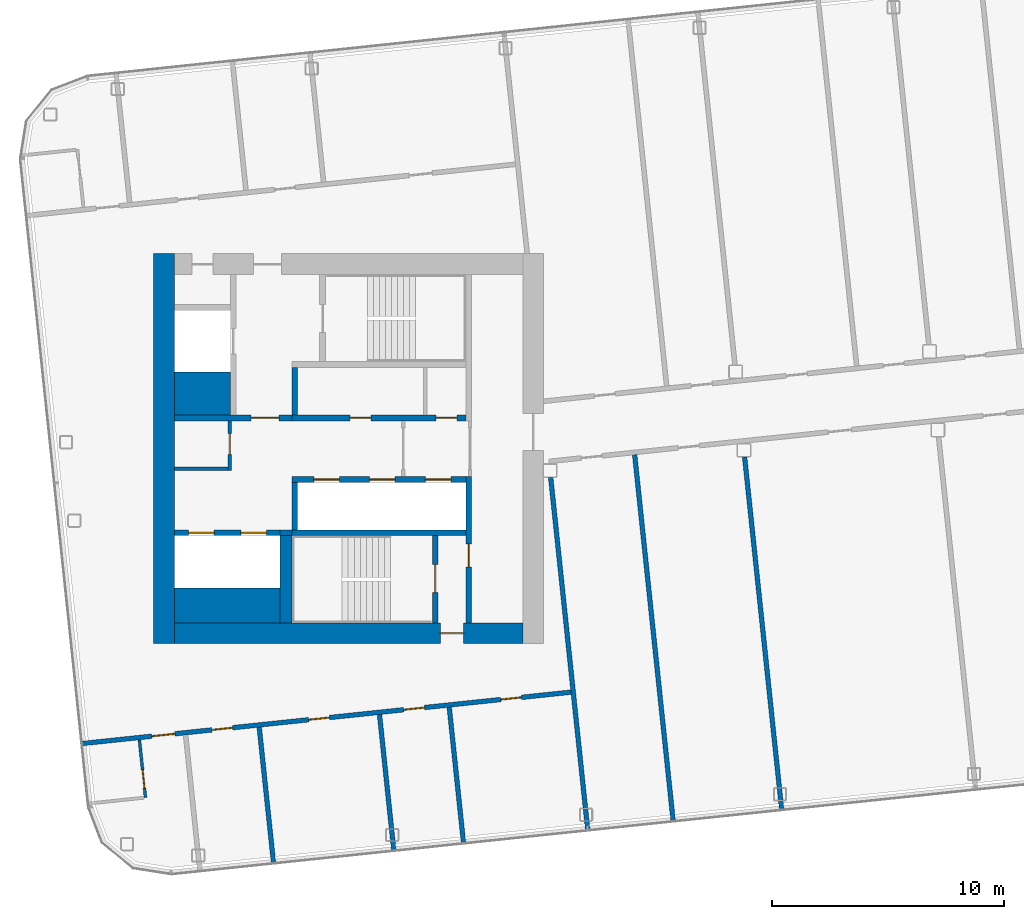
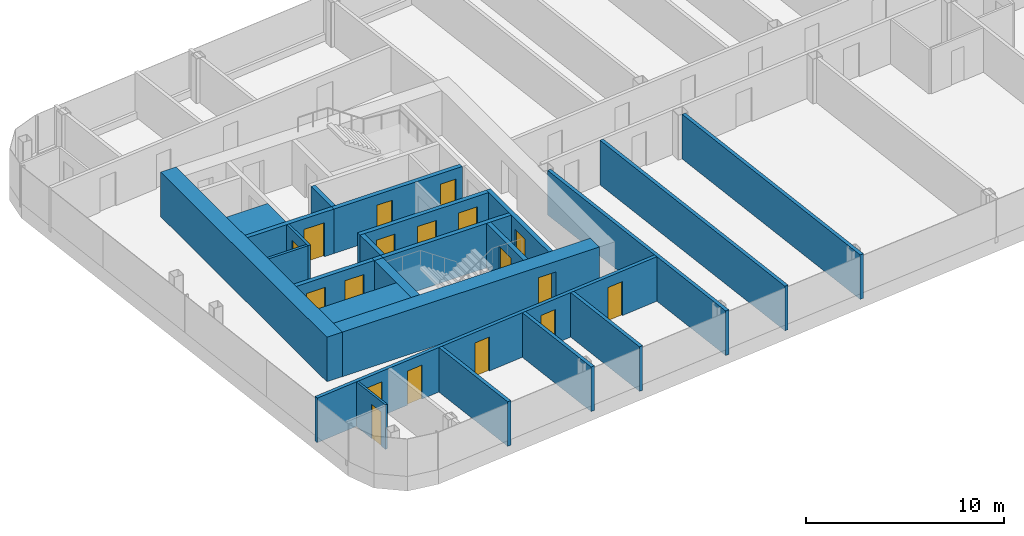
# One storey, part 14 of 27: 25 walls, 18 doors, 18 openings.
"""IFC4 building model written with IfcOpenShell, lengths in metres."""

from ifc_helpers import new_model, si_unit, direction, frame, frame_2d, origin, place, context, subcontext, project, spatial, rectangle, extrude, material, layer, layer_set, type_object, element, fill, save


model = new_model("IFC4")

# Units and contexts
model_context = context("Model", 3, precision=1e-05, world=origin(), true_north=direction((0.0, 1.0)))
body_context = subcontext(model_context, "Body", "Model", "MODEL_VIEW")
ifc_project = project(units=[si_unit("LENGTHUNIT", "METRE"), si_unit("AREAUNIT", "SQUARE_METRE"), si_unit("VOLUMEUNIT", "CUBIC_METRE"), si_unit("PLANEANGLEUNIT", "RADIAN"), si_unit("MASSUNIT", "GRAM", prefix="KILO")], contexts=[model_context])

# Site, building, storey
site_placement = place(None, origin())
site = spatial("IfcSite", under=ifc_project, at=site_placement, CompositionType="ELEMENT")
building_placement = place(site_placement, origin())
building = spatial("IfcBuilding", under=site, at=building_placement, Name="Hakoniwa Tower and Hamabe Station Hall", CompositionType="ELEMENT")
storey_placement = place(building_placement, frame((0.0, 0.0, 239.0)))
storey = spatial("IfcBuildingStorey", under=building, at=storey_placement, Name="L67", CompositionType="ELEMENT", Elevation=239.0)

# Wall, opening, door
ifc_material_1 = material(Name="Gypsum board partition", Category="gypsum")
ifc_layer_1 = layer(ifc_material_1, 0.125)
ifc_layer_set_1 = layer_set([ifc_layer_1], Name="Bathroom Partition 125")
wall_type_1 = type_object("IfcWallType", Name="Bathroom Partition 125", PredefinedType="PARTITIONING", material=ifc_layer_set_1)
wall_1_placement = place(storey_placement, frame((-33.95361328125, -15.029296875, 0.0), z_axis=(0.0, 0.0, 1.0), x_axis=(-0.104588199498, 0.994515615024, 0.0)))
wall_1 = element("IfcWall", 1, at=wall_1_placement, inside=storey, type_object=wall_type_1, Name="GW-L67-012", PredefinedType="PARTITIONING", context=body_context, shape_type="SweptSolid", body=[
    extrude(rectangle(XDim=2.5, YDim=0.125, at=frame_2d((1.25, 0.0))), origin(), (0.0, 0.0, 1.0), 2.75),
])
opening_1_placement = place(wall_1_placement, frame((0.39990234375, 0.0, 0.0)))
opening_1 = element("IfcOpeningElement", 2, at=opening_1_placement, cuts=wall_1, Name="Opening GD-G5A0-29", PredefinedType="OPENING", context=body_context, shape_type="SweptSolid", body=[
    extrude(rectangle(XDim=0.800048828125, YDim=2.10009765625, at=frame_2d((0.39990234375, 1.050048828125))), frame((0.0, 0.072509765625, 0.0), z_axis=(0.0, -1.0, 0.0), x_axis=(1.0, 0.0, 0.0)), (0.0, 0.0, 1.0), 0.14501953125),
])
ifc_material_2 = material(Name="Timber door leaf", Category="wood")
door_type_1 = type_object("IfcDoorType", Name="Bathroom Door 800", OperationType="SINGLE_SWING_LEFT", PredefinedType="DOOR", material=ifc_material_2)
door_1_placement = place(opening_1_placement, origin())
door_1 = element("IfcDoor", 3, at=door_1_placement, inside=storey, type_object=door_type_1, Name="Door GD-G5A0-29", OperationType="SINGLE_SWING_RIGHT", OverallHeight=2.10009765625, OverallWidth=0.800048828125, PredefinedType="DOOR", context=body_context, shape_type="SweptSolid", body=[
    extrude(rectangle(XDim=0.800048828125, YDim=2.10009765625, at=frame_2d((0.39990234375, 1.050048828125))), frame((0.0, 0.02490234375, 0.0), z_axis=(0.0, -1.0, 0.0), x_axis=(1.0, 0.0, 0.0)), (0.0, 0.0, 1.0), 0.050048828125),
])
fill(opening_1, door_1)

ifc_material_3 = material(Name="Gypsum board partition")
ifc_layer_2 = layer(ifc_material_3, 0.14990234375)
ifc_layer_set_2 = layer_set([ifc_layer_2], Name="CORE PARTITION 150 EI 60")
wall_type_2 = type_object("IfcWallType", Name="CORE PARTITION 150 EI 60", PredefinedType="PARTITIONING", material=ifc_layer_set_2)
wall_2_placement = place(storey_placement, frame((-30.324951171875, -0.949951171875, 0.0), z_axis=(0.0, 0.0, 1.0), x_axis=(0.0, 1.0, 0.0)))
wall_2 = element("IfcWall", 4, at=wall_2_placement, inside=storey, type_object=wall_type_2, Name="Core partition PW0 west", PredefinedType="PARTITIONING", context=body_context, shape_type="SweptSolid", body=[
    extrude(rectangle(XDim=2.14990234375, YDim=0.14990234375, at=frame_2d((1.074951171875, 0.0))), origin(), (0.0, 0.0, 1.0), 2.75),
])
opening_2_placement = place(wall_2_placement, frame((0.699951171875, 0.0, 0.0)))
opening_2 = element("IfcOpeningElement", 5, at=opening_2_placement, cuts=wall_2, Name="Opening CD-W-RM1-9", PredefinedType="OPENING", context=body_context, shape_type="SweptSolid", body=[
    extrude(rectangle(XDim=0.89990234375, YDim=2.10009765625, at=frame_2d((0.449951171875, 1.050048828125))), frame((0.0, 0.0849609375, 0.0), z_axis=(0.0, -1.0, 0.0), x_axis=(1.0, 0.0, 0.0)), (0.0, 0.0, 1.0), 0.169921875),
])
ifc_material_4 = material(Name="Steel fire door", Category="steel")
door_type_2 = type_object("IfcDoorType", Name="CORE DOOR 900 FD30", OperationType="NOTDEFINED", PredefinedType="DOOR", material=ifc_material_4)
door_2_placement = place(opening_2_placement, origin())
door_2 = element("IfcDoor", 6, at=door_2_placement, inside=storey, type_object=door_type_2, Name="Store room door", OperationType="SINGLE_SWING_LEFT", OverallHeight=2.10009765625, OverallWidth=0.89990234375, PredefinedType="DOOR", context=body_context, shape_type="SweptSolid", body=[
    extrude(rectangle(XDim=0.89990234375, YDim=2.10009765625, at=frame_2d((0.449951171875, 1.050048828125))), frame((0.0, 0.02490234375, 0.0), z_axis=(0.0, -1.0, 0.0), x_axis=(1.0, 0.0, 0.0)), (0.0, 0.0, 1.0), 0.050048828125),
])
fill(opening_2, door_2)

# Walls
wall_3_placement = place(storey_placement, frame((-32.699951171875, -0.875, 0.0), z_axis=(0.0, 0.0, 1.0), x_axis=(1.0, 0.0, 0.0)))
element("IfcWall", 7, at=wall_3_placement, inside=storey, type_object=wall_type_2, Name="Core partition PS west", PredefinedType="PARTITIONING", context=body_context, shape_type="SweptSolid", body=[
    extrude(rectangle(XDim=2.300048828125, YDim=0.14990234375, at=frame_2d((1.14990234375, 0.0))), origin(), (0.0, 0.0, 1.0), 2.75),
])
ifc_material_5 = material(Name="Concrete C60", Category="concrete")
ifc_layer_3 = layer(ifc_material_5, 0.89990234375)
ifc_layer_set_3 = layer_set([ifc_layer_3], Name="CORE WALL 900 C60")
wall_type_3 = type_object("IfcWallType", Name="CORE WALL 900 C60", PredefinedType="SHEAR", material=ifc_layer_set_3)
wall_4_placement = place(storey_placement, frame((-33.14990234375, -8.39990234375, 0.0), z_axis=(0.0, 0.0, 1.0), x_axis=(0.0, 1.0, 0.0)))
element("IfcWall", 8, at=wall_4_placement, inside=storey, type_object=wall_type_3, Name="Core wall OUTER west", PredefinedType="SHEAR", context=body_context, shape_type="SweptSolid", body=[
    extrude(rectangle(XDim=16.7998046875, YDim=0.89990234375, at=frame_2d((8.39990234375, 0.0))), origin(), (0.0, 0.0, 1.0), 2.75),
])

# Wall, opening, door
wall_5_placement = place(storey_placement, frame((-32.699951171875, -7.949951171875, 0.0), z_axis=(0.0, 0.0, 1.0), x_axis=(1.0, 0.0, 0.0)))
wall_5 = element("IfcWall", 9, at=wall_5_placement, inside=storey, type_object=wall_type_3, Name="Core wall SOUTH west", PredefinedType="SHEAR", context=body_context, shape_type="SweptSolid", body=[
    extrude(rectangle(XDim=15.0, YDim=0.89990234375, at=frame_2d((7.5, 0.0))), origin(), (0.0, 0.0, 1.0), 2.75),
])
opening_3_placement = place(wall_5_placement, frame((11.449951171875, 0.0, 0.0)))
opening_3 = element("IfcOpeningElement", 10, at=opening_3_placement, cuts=wall_5, Name="Opening CD-W-FS3-10", PredefinedType="OPENING", context=body_context, shape_type="SweptSolid", body=[
    extrude(rectangle(XDim=1.0, YDim=2.10009765625, at=frame_2d((0.5, 1.050048828125))), frame((0.0, 0.4599609375, 0.0), z_axis=(0.0, -1.0, 0.0), x_axis=(1.0, 0.0, 0.0)), (0.0, 0.0, 1.0), 0.919921875),
])
ifc_material_6 = material(Name="Steel fire door", Category="steel")
door_type_3 = type_object("IfcDoorType", Name="CORE DOOR 1000 FD60", OperationType="NOTDEFINED", PredefinedType="DOOR", material=ifc_material_6)
door_3_placement = place(opening_3_placement, origin())
door_3 = element("IfcDoor", 11, at=door_3_placement, inside=storey, type_object=door_type_3, Name="Stair vestibule door", OperationType="SINGLE_SWING_RIGHT", OverallHeight=2.10009765625, OverallWidth=1.0, PredefinedType="DOOR", context=body_context, shape_type="SweptSolid", body=[
    extrude(rectangle(XDim=1.0, YDim=2.10009765625, at=frame_2d((0.5, 1.050048828125))), frame((0.0, 0.02490234375, 0.0), z_axis=(0.0, -1.0, 0.0), x_axis=(1.0, 0.0, 0.0)), (0.0, 0.0, 1.0), 0.050048828125),
])
fill(opening_3, door_3)

# Walls
ifc_material_7 = material(Name="Concrete C60", Category="concrete")
ifc_layer_4 = layer(ifc_material_7, 1.5)
ifc_layer_set_4 = layer_set([ifc_layer_4], Name="CORE WEB WALL 1500 C60")
wall_type_4 = type_object("IfcWallType", Name="CORE WEB WALL 1500 C60", PredefinedType="SHEAR", material=ifc_layer_set_4)
wall_6_placement = place(storey_placement, frame((-32.699951171875, -6.75, 0.0), z_axis=(0.0, 0.0, 1.0), x_axis=(1.0, 0.0, 0.0)))
element("IfcWall", 12, at=wall_6_placement, inside=storey, type_object=wall_type_4, Name="Core wall SER west", PredefinedType="SHEAR", context=body_context, shape_type="SweptSolid", body=[
    extrude(rectangle(XDim=4.550048828125, YDim=1.5, at=frame_2d((2.27490234375, 0.0))), origin(), (0.0, 0.0, 1.0), 2.75),
])
ifc_material_8 = material(Name="Concrete C60", Category="concrete")
ifc_layer_5 = layer(ifc_material_8, 1.85009765625)
ifc_layer_set_5 = layer_set([ifc_layer_5], Name="CORE WEB WALL 1850 C60")
wall_type_5 = type_object("IfcWallType", Name="CORE WEB WALL 1850 C60", PredefinedType="SHEAR", material=ifc_layer_set_5)
wall_7_placement = place(storey_placement, frame((-32.699951171875, 2.375, 0.0), z_axis=(0.0, 0.0, 1.0), x_axis=(1.0, 0.0, 0.0)))
element("IfcWall", 13, at=wall_7_placement, inside=storey, type_object=wall_type_5, Name="Core wall CA west", PredefinedType="SHEAR", context=body_context, shape_type="SweptSolid", body=[
    extrude(rectangle(XDim=2.39990234375, YDim=1.85009765625, at=frame_2d((1.199951171875, 0.0))), origin(), (0.0, 0.0, 1.0), 2.75),
])

# Wall, opening, door
ifc_material_9 = material(Name="Concrete C60", Category="concrete")
ifc_layer_6 = layer(ifc_material_9, 0.25)
ifc_layer_set_6 = layer_set([ifc_layer_6], Name="CORE WEB WALL 250 C60")
wall_type_6 = type_object("IfcWallType", Name="CORE WEB WALL 250 C60", PredefinedType="SHEAR", material=ifc_layer_set_6)
wall_8_placement = place(storey_placement, frame((-20.02490234375, -7.5, 0.0), z_axis=(0.0, 0.0, 1.0), x_axis=(0.0, 1.0, 0.0)))
wall_8 = element("IfcWall", 14, at=wall_8_placement, inside=storey, type_object=wall_type_6, Name="Core wall W1S west", PredefinedType="SHEAR", context=body_context, shape_type="SweptSolid", body=[
    extrude(rectangle(XDim=6.300048828125, YDim=0.25, at=frame_2d((3.14990234375, 0.0))), origin(), (0.0, 0.0, 1.0), 2.75),
])
opening_4_placement = place(wall_8_placement, frame((2.39990234375, 0.0, 0.0)))
opening_4 = element("IfcOpeningElement", 15, at=opening_4_placement, cuts=wall_8, Name="Opening CD-W-VS-10", PredefinedType="OPENING", context=body_context, shape_type="SweptSolid", body=[
    extrude(rectangle(XDim=1.0, YDim=2.10009765625, at=frame_2d((0.5, 1.050048828125))), frame((0.0, 0.135009765625, 0.0), z_axis=(0.0, -1.0, 0.0), x_axis=(1.0, 0.0, 0.0)), (0.0, 0.0, 1.0), 0.27001953125),
])
door_4_placement = place(opening_4_placement, origin())
door_4 = element("IfcDoor", 16, at=door_4_placement, inside=storey, type_object=door_type_3, Name="Stair vestibule door", OperationType="SINGLE_SWING_LEFT", OverallHeight=2.10009765625, OverallWidth=1.0, PredefinedType="DOOR", context=body_context, shape_type="SweptSolid", body=[
    extrude(rectangle(XDim=1.0, YDim=2.10009765625, at=frame_2d((0.5, 1.050048828125))), frame((0.0, 0.02490234375, 0.0), z_axis=(0.0, -1.0, 0.0), x_axis=(1.0, 0.0, 0.0)), (0.0, 0.0, 1.0), 0.050048828125),
])
fill(opening_4, door_4)

# Wall, openings, doors
wall_9_placement = place(storey_placement, frame((-27.64990234375, 1.324951171875, 0.0), z_axis=(0.0, 0.0, 1.0), x_axis=(1.0, 0.0, 0.0)))
wall_9 = element("IfcWall", 17, at=wall_9_placement, inside=storey, type_object=wall_type_6, Name="Core wall NF west", PredefinedType="SHEAR", context=body_context, shape_type="SweptSolid", body=[
    extrude(rectangle(XDim=7.5, YDim=0.25, at=frame_2d((3.75, 0.0))), origin(), (0.0, 0.0, 1.0), 2.75),
])
opening_5_placement = place(wall_9_placement, frame((6.21240234375, 0.0, 0.0)))
opening_5 = element("IfcOpeningElement", 18, at=opening_5_placement, cuts=wall_9, Name="Opening CD-W-FRLR0-9", PredefinedType="OPENING", context=body_context, shape_type="SweptSolid", body=[
    extrude(rectangle(XDim=0.89990234375, YDim=2.10009765625, at=frame_2d((0.449951171875, 1.050048828125))), frame((0.0, 0.135009765625, 0.0), z_axis=(0.0, -1.0, 0.0), x_axis=(1.0, 0.0, 0.0)), (0.0, 0.0, 1.0), 0.27001953125),
])
opening_6_placement = place(wall_9_placement, frame((2.512451171875, 0.0, 0.0)))
opening_6 = element("IfcOpeningElement", 19, at=opening_6_placement, cuts=wall_9, Name="Opening CD-W-FRLR1-9", PredefinedType="OPENING", context=body_context, shape_type="SweptSolid", body=[
    extrude(rectangle(XDim=0.89990234375, YDim=2.10009765625, at=frame_2d((0.449951171875, 1.050048828125))), frame((0.0, 0.135009765625, 0.0), z_axis=(0.0, -1.0, 0.0), x_axis=(1.0, 0.0, 0.0)), (0.0, 0.0, 1.0), 0.27001953125),
])
door_5_placement = place(opening_5_placement, origin())
door_5 = element("IfcDoor", 20, at=door_5_placement, inside=storey, type_object=door_type_2, Name="Store room door", OperationType="SINGLE_SWING_RIGHT", OverallHeight=2.10009765625, OverallWidth=0.89990234375, PredefinedType="DOOR", context=body_context, shape_type="SweptSolid", body=[
    extrude(rectangle(XDim=0.89990234375, YDim=2.10009765625, at=frame_2d((0.449951171875, 1.050048828125))), frame((0.0, 0.02490234375, 0.0), z_axis=(0.0, -1.0, 0.0), x_axis=(1.0, 0.0, 0.0)), (0.0, 0.0, 1.0), 0.050048828125),
])
fill(opening_5, door_5)
door_6_placement = place(opening_6_placement, origin())
door_6 = element("IfcDoor", 21, at=door_6_placement, inside=storey, type_object=door_type_2, Name="Store room door", OperationType="SINGLE_SWING_LEFT", OverallHeight=2.10009765625, OverallWidth=0.89990234375, PredefinedType="DOOR", context=body_context, shape_type="SweptSolid", body=[
    extrude(rectangle(XDim=0.89990234375, YDim=2.10009765625, at=frame_2d((0.449951171875, 1.050048828125))), frame((0.0, 0.02490234375, 0.0), z_axis=(0.0, -1.0, 0.0), x_axis=(1.0, 0.0, 0.0)), (0.0, 0.0, 1.0), 0.050048828125),
])
fill(opening_6, door_6)

# Wall
wall_10_placement = place(storey_placement, frame((-27.52490234375, 1.449951171875, 0.0), z_axis=(0.0, 0.0, 1.0), x_axis=(0.0, 1.0, 0.0)))
element("IfcWall", 22, at=wall_10_placement, inside=storey, type_object=wall_type_6, Name="Core wall NE west", PredefinedType="SHEAR", context=body_context, shape_type="SweptSolid", body=[
    extrude(rectangle(XDim=2.050048828125, YDim=0.25, at=frame_2d((1.02490234375, 0.0))), origin(), (0.0, 0.0, 1.0), 2.75),
])

# Wall, opening, door
wall_11_placement = place(storey_placement, frame((-32.699951171875, 1.324951171875, 0.0), z_axis=(0.0, 0.0, 1.0), x_axis=(1.0, 0.0, 0.0)))
wall_11 = element("IfcWall", 23, at=wall_11_placement, inside=storey, type_object=wall_type_6, Name="Core wall ELN west", PredefinedType="SHEAR", context=body_context, shape_type="SweptSolid", body=[
    extrude(rectangle(XDim=5.050048828125, YDim=0.25, at=frame_2d((2.52490234375, 0.0))), origin(), (0.0, 0.0, 1.0), 2.75),
])
opening_7_placement = place(wall_11_placement, frame((3.300048828125, 0.0, 0.0)))
opening_7 = element("IfcOpeningElement", 24, at=opening_7_placement, cuts=wall_11, Name="Opening CD-W-FL-12", PredefinedType="OPENING", context=body_context, shape_type="SweptSolid", body=[
    extrude(rectangle(XDim=1.199951171875, YDim=2.10009765625, at=frame_2d((0.60009765625, 1.050048828125))), frame((0.0, 0.135009765625, 0.0), z_axis=(0.0, -1.0, 0.0), x_axis=(1.0, 0.0, 0.0)), (0.0, 0.0, 1.0), 0.27001953125),
])
ifc_material_10 = material(Name="Steel fire door", Category="steel")
door_type_4 = type_object("IfcDoorType", Name="CORE DOOR 1200 FD60", OperationType="DOUBLE_DOOR_SINGLE_SWING", PredefinedType="DOOR", material=ifc_material_10)
door_7_placement = place(opening_7_placement, origin())
door_7 = element("IfcDoor", 25, at=door_7_placement, inside=storey, type_object=door_type_4, Name="Stair vestibule door to the fire-fighting lobby", OperationType="DOUBLE_DOOR_SINGLE_SWING", OverallHeight=2.10009765625, OverallWidth=1.199951171875, PredefinedType="DOOR", context=body_context, shape_type="SweptSolid", body=[
    extrude(rectangle(XDim=1.199951171875, YDim=2.10009765625, at=frame_2d((0.60009765625, 1.050048828125))), frame((0.0, 0.02490234375, 0.0), z_axis=(0.0, -1.0, 0.0), x_axis=(1.0, 0.0, 0.0)), (0.0, 0.0, 1.0), 0.050048828125),
])
fill(opening_7, door_7)

# Wall, openings, doors
wall_12_placement = place(storey_placement, frame((-27.64990234375, -1.324951171875, 0.0), z_axis=(0.0, 0.0, 1.0), x_axis=(1.0, 0.0, 0.0)))
wall_12 = element("IfcWall", 26, at=wall_12_placement, inside=storey, type_object=wall_type_6, Name="Core wall SF west", PredefinedType="SHEAR", context=body_context, shape_type="SweptSolid", body=[
    extrude(rectangle(XDim=7.5, YDim=0.25, at=frame_2d((3.75, 0.0))), origin(), (0.0, 0.0, 1.0), 2.75),
])
opening_8_placement = place(wall_12_placement, frame((5.75, 0.0, 0.0)))
opening_8 = element("IfcOpeningElement", 27, at=opening_8_placement, cuts=wall_12, Name="Opening LD-HR1", PredefinedType="OPENING", context=body_context, shape_type="SweptSolid", body=[
    extrude(rectangle(XDim=1.10009765625, YDim=2.10009765625, at=frame_2d((0.550048828125, 1.050048828125))), frame((0.0, 0.135009765625, 0.0), z_axis=(0.0, -1.0, 0.0), x_axis=(1.0, 0.0, 0.0)), (0.0, 0.0, 1.0), 0.27001953125),
])
opening_9_placement = place(wall_12_placement, frame((3.35009765625, 0.0, 0.0)))
opening_9 = element("IfcOpeningElement", 28, at=opening_9_placement, cuts=wall_12, Name="Opening LD-HR2", PredefinedType="OPENING", context=body_context, shape_type="SweptSolid", body=[
    extrude(rectangle(XDim=1.10009765625, YDim=2.10009765625, at=frame_2d((0.550048828125, 1.050048828125))), frame((0.0, 0.135009765625, 0.0), z_axis=(0.0, -1.0, 0.0), x_axis=(1.0, 0.0, 0.0)), (0.0, 0.0, 1.0), 0.27001953125),
])
opening_10_placement = place(wall_12_placement, frame((0.949951171875, 0.0, 0.0)))
opening_10 = element("IfcOpeningElement", 29, at=opening_10_placement, cuts=wall_12, Name="Opening LD-HR3", PredefinedType="OPENING", context=body_context, shape_type="SweptSolid", body=[
    extrude(rectangle(XDim=1.10009765625, YDim=2.10009765625, at=frame_2d((0.550048828125, 1.050048828125))), frame((0.0, 0.135009765625, 0.0), z_axis=(0.0, -1.0, 0.0), x_axis=(1.0, 0.0, 0.0)), (0.0, 0.0, 1.0), 0.27001953125),
])
ifc_material_11 = material(Name="Stainless steel SUS304", Category="steel")
door_type_5 = type_object("IfcDoorType", Name="LIFT LANDING DOOR 1100 FD60", OperationType="DOUBLE_DOOR_SLIDING", PredefinedType="DOOR", material=ifc_material_11)
door_8_placement = place(opening_8_placement, origin())
door_8 = element("IfcDoor", 30, at=door_8_placement, inside=storey, type_object=door_type_5, Name="Lift landing door HR1 L67", OperationType="DOUBLE_DOOR_SLIDING", OverallHeight=2.10009765625, OverallWidth=1.10009765625, PredefinedType="DOOR", context=body_context, shape_type="SweptSolid", body=[
    extrude(rectangle(XDim=1.10009765625, YDim=2.10009765625, at=frame_2d((0.550048828125, 1.050048828125))), frame((0.0, 0.02490234375, 0.0), z_axis=(0.0, -1.0, 0.0), x_axis=(1.0, 0.0, 0.0)), (0.0, 0.0, 1.0), 0.050048828125),
])
fill(opening_8, door_8)
door_9_placement = place(opening_9_placement, origin())
door_9 = element("IfcDoor", 31, at=door_9_placement, inside=storey, type_object=door_type_5, Name="Lift landing door HR2 L67", OperationType="DOUBLE_DOOR_SLIDING", OverallHeight=2.10009765625, OverallWidth=1.10009765625, PredefinedType="DOOR", context=body_context, shape_type="SweptSolid", body=[
    extrude(rectangle(XDim=1.10009765625, YDim=2.10009765625, at=frame_2d((0.550048828125, 1.050048828125))), frame((0.0, 0.02490234375, 0.0), z_axis=(0.0, -1.0, 0.0), x_axis=(1.0, 0.0, 0.0)), (0.0, 0.0, 1.0), 0.050048828125),
])
fill(opening_9, door_9)
door_10_placement = place(opening_10_placement, origin())
door_10 = element("IfcDoor", 32, at=door_10_placement, inside=storey, type_object=door_type_5, Name="Lift landing door HR3 L67", OperationType="DOUBLE_DOOR_SLIDING", OverallHeight=2.10009765625, OverallWidth=1.10009765625, PredefinedType="DOOR", context=body_context, shape_type="SweptSolid", body=[
    extrude(rectangle(XDim=1.10009765625, YDim=2.10009765625, at=frame_2d((0.550048828125, 1.050048828125))), frame((0.0, 0.02490234375, 0.0), z_axis=(0.0, -1.0, 0.0), x_axis=(1.0, 0.0, 0.0)), (0.0, 0.0, 1.0), 0.050048828125),
])
fill(opening_10, door_10)

# Walls
wall_13_placement = place(storey_placement, frame((-27.52490234375, -3.5, 0.0), z_axis=(0.0, 0.0, 1.0), x_axis=(0.0, 1.0, 0.0)))
element("IfcWall", 33, at=wall_13_placement, inside=storey, type_object=wall_type_6, Name="Core wall SE west", PredefinedType="SHEAR", context=body_context, shape_type="SweptSolid", body=[
    extrude(rectangle(XDim=2.050048828125, YDim=0.25, at=frame_2d((1.02490234375, 0.0))), origin(), (0.0, 0.0, 1.0), 2.75),
])
wall_14_placement = place(storey_placement, frame((-27.64990234375, -3.625, 0.0), z_axis=(0.0, 0.0, 1.0), x_axis=(1.0, 0.0, 0.0)))
element("IfcWall", 34, at=wall_14_placement, inside=storey, type_object=wall_type_6, Name="Core wall SR west", PredefinedType="SHEAR", context=body_context, shape_type="SweptSolid", body=[
    extrude(rectangle(XDim=7.5, YDim=0.25, at=frame_2d((3.75, 0.0))), origin(), (0.0, 0.0, 1.0), 2.75),
])

# Wall, opening, door
wall_15_placement = place(storey_placement, frame((-21.47509765625, -7.5, 0.0), z_axis=(0.0, 0.0, 1.0), x_axis=(0.0, 1.0, 0.0)))
wall_15 = element("IfcWall", 35, at=wall_15_placement, inside=storey, type_object=wall_type_6, Name="Core wall VE west", PredefinedType="SHEAR", context=body_context, shape_type="SweptSolid", body=[
    extrude(rectangle(XDim=3.75, YDim=0.25, at=frame_2d((1.875, 0.0))), origin(), (0.0, 0.0, 1.0), 2.75),
])
opening_11_placement = place(wall_15_placement, frame((1.300048828125, 0.0, 0.0)))
opening_11 = element("IfcOpeningElement", 36, at=opening_11_placement, cuts=wall_15, Name="Opening CD-W-SS-12", PredefinedType="OPENING", context=body_context, shape_type="SweptSolid", body=[
    extrude(rectangle(XDim=1.199951171875, YDim=2.10009765625, at=frame_2d((0.60009765625, 1.050048828125))), frame((0.0, 0.135009765625, 0.0), z_axis=(0.0, -1.0, 0.0), x_axis=(1.0, 0.0, 0.0)), (0.0, 0.0, 1.0), 0.27001953125),
])
door_11_placement = place(opening_11_placement, origin())
door_11 = element("IfcDoor", 37, at=door_11_placement, inside=storey, type_object=door_type_4, Name="Escape stair door", OperationType="DOUBLE_DOOR_SINGLE_SWING", OverallHeight=2.10009765625, OverallWidth=1.199951171875, PredefinedType="DOOR", context=body_context, shape_type="SweptSolid", body=[
    extrude(rectangle(XDim=1.199951171875, YDim=2.10009765625, at=frame_2d((0.60009765625, 1.050048828125))), frame((0.0, 0.02490234375, 0.0), z_axis=(0.0, -1.0, 0.0), x_axis=(1.0, 0.0, 0.0)), (0.0, 0.0, 1.0), 0.050048828125),
])
fill(opening_11, door_11)

# Wall, openings, doors
wall_16_placement = place(storey_placement, frame((-32.699951171875, -3.625, 0.0), z_axis=(0.0, 0.0, 1.0), x_axis=(1.0, 0.0, 0.0)))
wall_16 = element("IfcWall", 38, at=wall_16_placement, inside=storey, type_object=wall_type_6, Name="Core wall SEF west", PredefinedType="SHEAR", context=body_context, shape_type="SweptSolid", body=[
    extrude(rectangle(XDim=4.550048828125, YDim=0.25, at=frame_2d((2.27490234375, 0.0))), origin(), (0.0, 0.0, 1.0), 2.75),
])
opening_12_placement = place(wall_16_placement, frame((2.85009765625, 0.0, 0.0)))
opening_12 = element("IfcOpeningElement", 39, at=opening_12_placement, cuts=wall_16, Name="Opening LD-SV1", PredefinedType="OPENING", context=body_context, shape_type="SweptSolid", body=[
    extrude(rectangle(XDim=1.10009765625, YDim=2.10009765625, at=frame_2d((0.550048828125, 1.050048828125))), frame((0.0, 0.135009765625, 0.0), z_axis=(0.0, -1.0, 0.0), x_axis=(1.0, 0.0, 0.0)), (0.0, 0.0, 1.0), 0.27001953125),
])
opening_13_placement = place(wall_16_placement, frame((0.60009765625, 0.0, 0.0)))
opening_13 = element("IfcOpeningElement", 40, at=opening_13_placement, cuts=wall_16, Name="Opening LD-SV2", PredefinedType="OPENING", context=body_context, shape_type="SweptSolid", body=[
    extrude(rectangle(XDim=1.10009765625, YDim=2.10009765625, at=frame_2d((0.550048828125, 1.050048828125))), frame((0.0, 0.135009765625, 0.0), z_axis=(0.0, -1.0, 0.0), x_axis=(1.0, 0.0, 0.0)), (0.0, 0.0, 1.0), 0.27001953125),
])
door_12_placement = place(opening_12_placement, origin())
door_12 = element("IfcDoor", 41, at=door_12_placement, inside=storey, type_object=door_type_5, Name="Lift landing door SV1 L67", OperationType="DOUBLE_DOOR_SLIDING", OverallHeight=2.10009765625, OverallWidth=1.10009765625, PredefinedType="DOOR", context=body_context, shape_type="SweptSolid", body=[
    extrude(rectangle(XDim=1.10009765625, YDim=2.10009765625, at=frame_2d((0.550048828125, 1.050048828125))), frame((0.0, 0.02490234375, 0.0), z_axis=(0.0, -1.0, 0.0), x_axis=(1.0, 0.0, 0.0)), (0.0, 0.0, 1.0), 0.050048828125),
])
fill(opening_12, door_12)
door_13_placement = place(opening_13_placement, origin())
door_13 = element("IfcDoor", 42, at=door_13_placement, inside=storey, type_object=door_type_5, Name="Lift landing door SV2 L67", OperationType="DOUBLE_DOOR_SLIDING", OverallHeight=2.10009765625, OverallWidth=1.10009765625, PredefinedType="DOOR", context=body_context, shape_type="SweptSolid", body=[
    extrude(rectangle(XDim=1.10009765625, YDim=2.10009765625, at=frame_2d((0.550048828125, 1.050048828125))), frame((0.0, 0.02490234375, 0.0), z_axis=(0.0, -1.0, 0.0), x_axis=(1.0, 0.0, 0.0)), (0.0, 0.0, 1.0), 0.050048828125),
])
fill(opening_13, door_13)

# Walls
wall_17_placement = place(storey_placement, frame((-28.14990234375, -3.625, 0.0), z_axis=(0.0, 0.0, 1.0), x_axis=(1.0, 0.0, 0.0)))
element("IfcWall", 43, at=wall_17_placement, inside=storey, type_object=wall_type_6, Name="Core wall SRK west", PredefinedType="SHEAR", context=body_context, shape_type="SweptSolid", body=[
    extrude(rectangle(XDim=0.5, YDim=0.25, at=frame_2d((0.25, 0.0))), origin(), (0.0, 0.0, 1.0), 2.75),
])
ifc_material_12 = material(Name="Concrete C60", Category="concrete")
ifc_layer_7 = layer(ifc_material_12, 0.5)
ifc_layer_set_7 = layer_set([ifc_layer_7], Name="CORE WEB WALL 500 C60")
wall_type_7 = type_object("IfcWallType", Name="CORE WEB WALL 500 C60", PredefinedType="SHEAR", material=ifc_layer_set_7)
wall_18_placement = place(storey_placement, frame((-27.89990234375, -7.5, 0.0), z_axis=(0.0, 0.0, 1.0), x_axis=(0.0, 1.0, 0.0)))
element("IfcWall", 44, at=wall_18_placement, inside=storey, type_object=wall_type_7, Name="Core wall SSE west", PredefinedType="SHEAR", context=body_context, shape_type="SweptSolid", body=[
    extrude(rectangle(XDim=3.75, YDim=0.5, at=frame_2d((1.875, 0.0))), origin(), (0.0, 0.0, 1.0), 2.75),
])

# Wall, openings, doors
ifc_material_13 = material(Name="Fire-rated gypsum board partition", Category="gypsum")
ifc_layer_8 = layer(ifc_material_13, 0.199951171875)
ifc_layer_set_8 = layer_set([ifc_layer_8], Name="Corridor Wall 200")
wall_type_8 = type_object("IfcWallType", Name="Corridor Wall 200", PredefinedType="PARTITIONING", material=ifc_layer_set_8)
wall_19_placement = place(storey_placement, frame((-36.711669921875, -12.704833984375, 0.0), z_axis=(0.0, 0.0, 1.0), x_axis=(0.994522460242, 0.104523088709, 0.0)))
wall_19 = element("IfcWall", 45, at=wall_19_placement, inside=storey, type_object=wall_type_8, Name="GW-L67-003", PredefinedType="PARTITIONING", context=body_context, shape_type="SweptSolid", body=[
    extrude(rectangle(XDim=21.2998046875, YDim=0.199951171875, at=frame_2d((10.64990234375, 0.0))), origin(), (0.0, 0.0, 1.0), 2.75),
])
opening_14_placement = place(wall_19_placement, frame((3.050048828125, 0.0, 0.0)))
opening_14 = element("IfcOpeningElement", 46, at=opening_14_placement, cuts=wall_19, Name="Opening GD-G5A0-01", PredefinedType="OPENING", context=body_context, shape_type="SweptSolid", body=[
    extrude(rectangle(XDim=1.0, YDim=2.10009765625, at=frame_2d((0.5, 1.050048828125))), frame((0.0, 0.10986328125, 0.0), z_axis=(0.0, -1.0, 0.0), x_axis=(1.0, 0.0, 0.0)), (0.0, 0.0, 1.0), 0.219970703125),
])
opening_15_placement = place(wall_19_placement, frame((5.64501953125, 0.0, 0.0)))
opening_15 = element("IfcOpeningElement", 47, at=opening_15_placement, cuts=wall_19, Name="Opening GD-G5A0-02", PredefinedType="OPENING", context=body_context, shape_type="SweptSolid", body=[
    extrude(rectangle(XDim=0.89990234375, YDim=2.10009765625, at=frame_2d((0.449951171875, 1.050048828125))), frame((0.0, 0.10986328125, 0.0), z_axis=(0.0, -1.0, 0.0), x_axis=(1.0, 0.0, 0.0)), (0.0, 0.0, 1.0), 0.219970703125),
])
opening_16_placement = place(wall_19_placement, frame((9.844970703125, 0.0, 0.0)))
opening_16 = element("IfcOpeningElement", 48, at=opening_16_placement, cuts=wall_19, Name="Opening GD-G5A0-03", PredefinedType="OPENING", context=body_context, shape_type="SweptSolid", body=[
    extrude(rectangle(XDim=0.89990234375, YDim=2.10009765625, at=frame_2d((0.449951171875, 1.050048828125))), frame((0.0, 0.10986328125, 0.0), z_axis=(0.0, -1.0, 0.0), x_axis=(1.0, 0.0, 0.0)), (0.0, 0.0, 1.0), 0.219970703125),
])
opening_17_placement = place(wall_19_placement, frame((13.9599609375, 0.0, 0.0)))
opening_17 = element("IfcOpeningElement", 49, at=opening_17_placement, cuts=wall_19, Name="Opening GD-G5A0-04", PredefinedType="OPENING", context=body_context, shape_type="SweptSolid", body=[
    extrude(rectangle(XDim=0.89990234375, YDim=2.10009765625, at=frame_2d((0.449951171875, 1.050048828125))), frame((0.0, 0.10986328125, 0.0), z_axis=(0.0, -1.0, 0.0), x_axis=(1.0, 0.0, 0.0)), (0.0, 0.0, 1.0), 0.219970703125),
])
opening_18_placement = place(wall_19_placement, frame((18.159912109375, 0.0, 0.0)))
opening_18 = element("IfcOpeningElement", 50, at=opening_18_placement, cuts=wall_19, Name="Opening GD-G5A0-05", PredefinedType="OPENING", context=body_context, shape_type="SweptSolid", body=[
    extrude(rectangle(XDim=0.89990234375, YDim=2.10009765625, at=frame_2d((0.449951171875, 1.050048828125))), frame((0.0, 0.10986328125, 0.0), z_axis=(0.0, -1.0, 0.0), x_axis=(1.0, 0.0, 0.0)), (0.0, 0.0, 1.0), 0.219970703125),
])
ifc_material_14 = material(Name="Timber door leaf", Category="wood")
door_type_6 = type_object("IfcDoorType", Name="Guest Entrance Door 1000", OperationType="SINGLE_SWING_LEFT", PredefinedType="DOOR", material=ifc_material_14)
door_14_placement = place(opening_14_placement, origin())
door_14 = element("IfcDoor", 51, at=door_14_placement, inside=storey, type_object=door_type_6, Name="Door GD-G5A0-01", OperationType="SINGLE_SWING_RIGHT", OverallHeight=2.10009765625, OverallWidth=1.0, PredefinedType="DOOR", context=body_context, shape_type="SweptSolid", body=[
    extrude(rectangle(XDim=1.0, YDim=2.10009765625, at=frame_2d((0.5, 1.050048828125))), frame((0.0, 0.02490234375, 0.0), z_axis=(0.0, -1.0, 0.0), x_axis=(1.0, 0.0, 0.0)), (0.0, 0.0, 1.0), 0.050048828125),
])
fill(opening_14, door_14)
ifc_material_15 = material(Name="Timber door leaf", Category="wood")
door_type_7 = type_object("IfcDoorType", Name="Service Door 900", OperationType="SINGLE_SWING_LEFT", PredefinedType="DOOR", material=ifc_material_15)
door_15_placement = place(opening_15_placement, origin())
door_15 = element("IfcDoor", 52, at=door_15_placement, inside=storey, type_object=door_type_7, Name="Door GD-G5A0-02", OperationType="SINGLE_SWING_LEFT", OverallHeight=2.10009765625, OverallWidth=0.89990234375, PredefinedType="DOOR", context=body_context, shape_type="SweptSolid", body=[
    extrude(rectangle(XDim=0.89990234375, YDim=2.10009765625, at=frame_2d((0.449951171875, 1.050048828125))), frame((0.0, 0.02490234375, 0.0), z_axis=(0.0, -1.0, 0.0), x_axis=(1.0, 0.0, 0.0)), (0.0, 0.0, 1.0), 0.050048828125),
])
fill(opening_15, door_15)
door_16_placement = place(opening_16_placement, origin())
door_16 = element("IfcDoor", 53, at=door_16_placement, inside=storey, type_object=door_type_7, Name="Door GD-G5A0-03", OperationType="SINGLE_SWING_RIGHT", OverallHeight=2.10009765625, OverallWidth=0.89990234375, PredefinedType="DOOR", context=body_context, shape_type="SweptSolid", body=[
    extrude(rectangle(XDim=0.89990234375, YDim=2.10009765625, at=frame_2d((0.449951171875, 1.050048828125))), frame((0.0, 0.02490234375, 0.0), z_axis=(0.0, -1.0, 0.0), x_axis=(1.0, 0.0, 0.0)), (0.0, 0.0, 1.0), 0.050048828125),
])
fill(opening_16, door_16)
door_17_placement = place(opening_17_placement, origin())
door_17 = element("IfcDoor", 54, at=door_17_placement, inside=storey, type_object=door_type_7, Name="Door GD-G5A0-04", OperationType="SINGLE_SWING_LEFT", OverallHeight=2.10009765625, OverallWidth=0.89990234375, PredefinedType="DOOR", context=body_context, shape_type="SweptSolid", body=[
    extrude(rectangle(XDim=0.89990234375, YDim=2.10009765625, at=frame_2d((0.449951171875, 1.050048828125))), frame((0.0, 0.02490234375, 0.0), z_axis=(0.0, -1.0, 0.0), x_axis=(1.0, 0.0, 0.0)), (0.0, 0.0, 1.0), 0.050048828125),
])
fill(opening_17, door_17)
door_18_placement = place(opening_18_placement, origin())
door_18 = element("IfcDoor", 55, at=door_18_placement, inside=storey, type_object=door_type_7, Name="Door GD-G5A0-05", OperationType="SINGLE_SWING_RIGHT", OverallHeight=2.10009765625, OverallWidth=0.89990234375, PredefinedType="DOOR", context=body_context, shape_type="SweptSolid", body=[
    extrude(rectangle(XDim=0.89990234375, YDim=2.10009765625, at=frame_2d((0.449951171875, 1.050048828125))), frame((0.0, 0.02490234375, 0.0), z_axis=(0.0, -1.0, 0.0), x_axis=(1.0, 0.0, 0.0)), (0.0, 0.0, 1.0), 0.050048828125),
])
fill(opening_18, door_18)

# Walls
ifc_material_16 = material(Name="Fire-rated gypsum board partition", Category="gypsum")
ifc_layer_9 = layer(ifc_material_16, 0.199951171875)
ifc_layer_set_9 = layer_set([ifc_layer_9], Name="Party Wall 200")
wall_type_9 = type_object("IfcWallType", Name="Party Wall 200", PredefinedType="PARTITIONING", material=ifc_layer_set_9)
wall_20_placement = place(storey_placement, frame((-28.43505859375, -17.884033203125, 0.0), z_axis=(0.0, 0.0, 1.0), x_axis=(-0.104532260673, 0.994521496238, 0.0)))
element("IfcWall", 56, at=wall_20_placement, inside=storey, type_object=wall_type_9, Name="GW-L67-016", PredefinedType="PARTITIONING", context=body_context, shape_type="SweptSolid", body=[
    extrude(rectangle(XDim=5.916015625, YDim=0.199951171875, at=frame_2d((2.9580078125, 0.0))), origin(), (0.0, 0.0, 1.0), 2.75),
])
for number, where, z_axis, x_axis, name in (
    (57, (-23.253662109375, -17.33935546875, 0.0), (0.0, 0.0, 1.0), (-0.10453655107, 0.994521045273, 0.0), "GW-L67-018"),
    (58, (-20.250244140625, -17.023681640625, 0.0), (0.0, 0.0, 1.0), (-0.10449573194, 0.994525335025, 0.0), "GW-L67-020"),
):
    element("IfcWall", number, at=place(storey_placement, frame(where, z_axis=z_axis, x_axis=x_axis)), inside=storey, type_object=wall_type_9, Name=name, PredefinedType="PARTITIONING", context=body_context, shape_type="SweptSolid", body=[
        extrude(rectangle(XDim=5.915771484375, YDim=0.199951171875, at=frame_2d((2.9580078125, 0.0))), origin(), (0.0, 0.0, 1.0), 2.75),
    ])
wall_21_placement = place(storey_placement, frame((-14.899658203125, -16.46142578125, 0.0), z_axis=(0.0, 0.0, 1.0), x_axis=(-0.104523729364, 0.99452239291, 0.0)))
element("IfcWall", 59, at=wall_21_placement, inside=storey, type_object=wall_type_9, Name="GW-L67-021", PredefinedType="PARTITIONING", context=body_context, shape_type="SweptSolid", body=[
    extrude(rectangle(XDim=15.308349609375, YDim=0.199951171875, at=frame_2d((7.654296875, 0.0))), origin(), (0.0, 0.0, 1.0), 2.75),
])
wall_22_placement = place(storey_placement, frame((-11.219970703125, -16.074462890625, 0.0), z_axis=(0.0, 0.0, 1.0), x_axis=(-0.104520927191, 0.994522687413, 0.0)))
element("IfcWall", 60, at=wall_22_placement, inside=storey, type_object=wall_type_9, Name="GW-L67-023", PredefinedType="PARTITIONING", context=body_context, shape_type="SweptSolid", body=[
    extrude(rectangle(XDim=15.89990234375, YDim=0.199951171875, at=frame_2d((7.949951171875, 0.0))), origin(), (0.0, 0.0, 1.0), 2.75),
])
wall_23_placement = place(storey_placement, frame((-6.545654296875, -15.583251953125, 0.0), z_axis=(0.0, 0.0, 1.0), x_axis=(-0.104523729364, 0.99452239291, 0.0)))
element("IfcWall", 61, at=wall_23_placement, inside=storey, type_object=wall_type_9, Name="GW-L67-025", PredefinedType="PARTITIONING", context=body_context, shape_type="SweptSolid", body=[
    extrude(rectangle(XDim=15.308349609375, YDim=0.199951171875, at=frame_2d((7.654296875, 0.0))), origin(), (0.0, 0.0, 1.0), 2.75),
])

save(model, "model.ifc")
